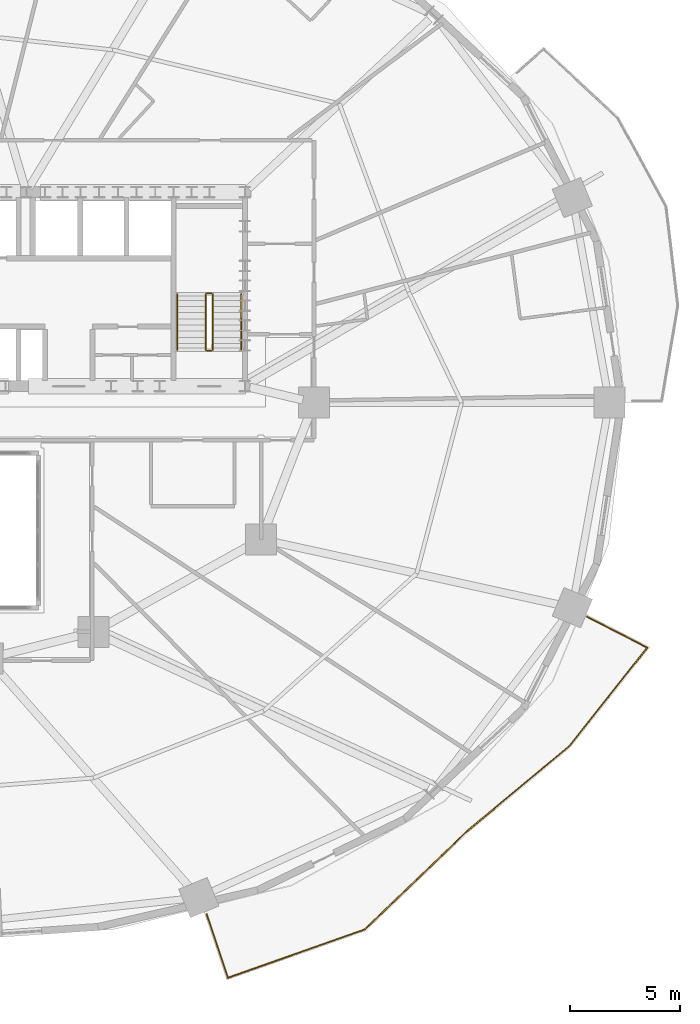
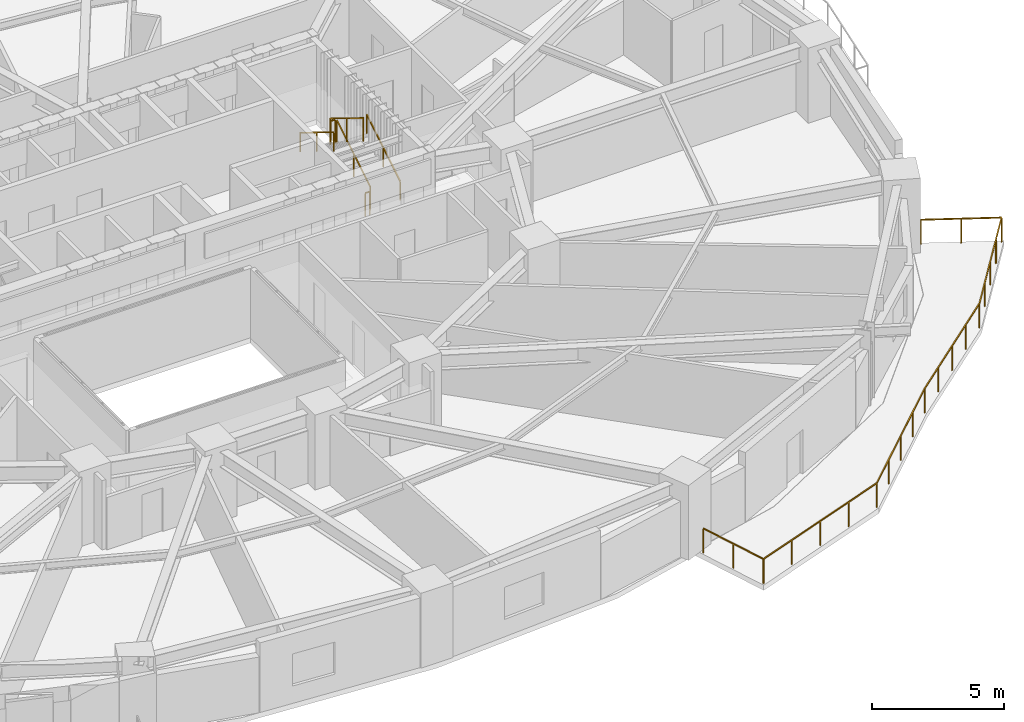
# One storey, part 16 of 17: 7 railings.
"""IFC4 building model written with IfcOpenShell, lengths in metres."""

import ifcopenshell
import ifcopenshell.guid

model = None  # the IFC model being written
_history = None  # IfcOwnerHistory: only IFC2X3 demands one
_inside = {}  # id of a spatial element -> (the spatial element, [elements in it])
_under = {}  # id of a project, library or spatial element -> (it, [spatial elements below it])
_declared = {}  # id of a project -> (the project, [libraries it declares])
_typed = {}  # id of a type object -> (the type object, [elements of that type])
_made_of = {}  # id of a material, layer set ... -> (it, [elements and type objects made of it])


def new_model(schema):
    """Start an empty IFC model of exactly this schema.

    Asked for "IFC4X3", IfcOpenShell would pick the latest addendum, in which some entities
    have other attributes; the version numbers below select the first issue.
    IFC2X3 requires an IfcOwnerHistory on every rooted entity: one is made here for all.
    """
    global model, _history
    if schema == "IFC4X3":
        model = ifcopenshell.file(schema_version=(4, 3, 0, 0))
    else:
        model = ifcopenshell.file(schema=schema)
    _inside.clear()
    _under.clear()
    _declared.clear()
    _typed.clear()
    _made_of.clear()
    _history = None
    if model.schema == "IFC2X3":
        org = make("IfcOrganization", Name="unknown")
        user = make(
            "IfcPersonAndOrganization",
            ThePerson=make("IfcPerson", FamilyName="unknown"),
            TheOrganization=org,
        )
        app = make(
            "IfcApplication",
            ApplicationDeveloper=org,
            Version="unknown",
            ApplicationFullName="unknown",
            ApplicationIdentifier="unknown",
        )
        _history = make(
            "IfcOwnerHistory",
            OwningUser=user,
            OwningApplication=app,
            ChangeAction="ADDED",
            CreationDate=0,
        )
    return model


def make(cls, **values):
    """One entity of the class cls with the attributes given. An attribute that is None is left unset."""
    return model.create_entity(
        cls, **{name: value for name, value in values.items() if value is not None}
    )


def rooted(cls, **values):
    """An entity with a GlobalId (a new one), such as an element, a storey or a relation."""
    return make(cls, GlobalId=ifcopenshell.guid.new(), OwnerHistory=_history, **values)


def si_unit(unit_type, name, prefix=None):
    """IfcSIUnit, for example si_unit("LENGTHUNIT", "METRE", prefix="MILLI")."""
    return make("IfcSIUnit", UnitType=unit_type, Prefix=prefix, Name=name)


def assignment(units):
    """IfcUnitAssignment: the units of a project."""
    return None if units is None else make("IfcUnitAssignment", Units=units)


def point(xyz):
    """IfcCartesianPoint."""
    return None if xyz is None else make("IfcCartesianPoint", Coordinates=xyz)


def direction(xyz):
    """IfcDirection."""
    return None if xyz is None else make("IfcDirection", DirectionRatios=xyz)


def frame(location, z_axis=None, x_axis=None):
    """IfcAxis2Placement3D, a coordinate frame: its origin and axes. An axis left out is left unset."""
    return make(
        "IfcAxis2Placement3D",
        Location=point(location),
        Axis=direction(z_axis),
        RefDirection=direction(x_axis),
    )


def frame_2d(location, x_axis=None):
    """IfcAxis2Placement2D, a coordinate frame in the plane: its origin and x axis."""
    return make(
        "IfcAxis2Placement2D", Location=point(location), RefDirection=direction(x_axis)
    )


def origin():
    """The frame at (0, 0, 0) with its axes left unset."""
    return frame((0.0, 0.0, 0.0))


def origin_2d():
    """The frame at (0, 0) in the plane with its x axis left unset."""
    return frame_2d((0.0, 0.0))


def place(relative_to, where):
    """IfcLocalPlacement: puts the frame where relative to a parent placement (None: the world)."""
    return make(
        "IfcLocalPlacement", PlacementRelTo=relative_to, RelativePlacement=where
    )


def context(
    kind, dimensions, precision=None, world=None, true_north=None, identifier=None
):
    """IfcGeometricRepresentationContext, for example the 3D "Model" context."""
    return make(
        "IfcGeometricRepresentationContext",
        ContextIdentifier=identifier,
        ContextType=kind,
        CoordinateSpaceDimension=dimensions,
        Precision=precision,
        WorldCoordinateSystem=world,
        TrueNorth=true_north,
    )


def subcontext(parent, identifier, kind, view, scale=None):
    """IfcGeometricRepresentationSubContext, for example "Body" below "Model"."""
    return make(
        "IfcGeometricRepresentationSubContext",
        ContextIdentifier=identifier,
        ContextType=kind,
        ParentContext=parent,
        TargetScale=scale,
        TargetView=view,
    )


def project(units=None, contexts=None):
    """IfcProject with its units and contexts."""
    return rooted(
        "IfcProject",
        Name="project",
        RepresentationContexts=contexts,
        UnitsInContext=assignment(units),
    )


def spatial(cls, under=None, at=None, **own):
    """A site, building, storey or space (cls), placed at a placement, below another one or the project."""
    s = rooted(cls, ObjectPlacement=at, **own)
    if under is not None:
        _under.setdefault(under.id(), (under, []))[1].append(s)
    return s


def profile(cls, at=None, kind="AREA", **sizes):
    """A parametric profile (cls). Its sizes go by their IFC names, for example OverallWidth=200.0."""
    return make(cls, ProfileType=kind, Position=at, **sizes)


def rectangle(**sizes):
    """IfcRectangleProfileDef."""
    return profile("IfcRectangleProfileDef", **sizes)


def extrude(swept, where, along, depth):
    """IfcExtrudedAreaSolid: the profile swept, set in the frame where, extruded along a direction by depth."""
    return make(
        "IfcExtrudedAreaSolid",
        SweptArea=swept,
        Position=where,
        ExtrudedDirection=direction(along),
        Depth=depth,
    )


def shape(context_of_items, identifier, shape_type, items):
    """IfcShapeRepresentation: the items that make up one representation, for example the "Body"."""
    return make(
        "IfcShapeRepresentation",
        ContextOfItems=context_of_items,
        RepresentationIdentifier=identifier,
        RepresentationType=shape_type,
        Items=items,
    )


def material(Name=None, Category=None):
    """IfcMaterial."""
    return make("IfcMaterial", Name=Name, Category=Category)


def made_of(thing, what):
    """Note that an element or type object is made of a material, layer set ...; save() writes the relation."""
    if what is not None:
        _made_of.setdefault(what.id(), (what, []))[1].append(thing)
    return thing


def type_object(cls, material=None, **own):
    """A type object (cls), such as IfcWallType, which elements share."""
    return made_of(rooted(cls, **own), material)


def element(
    cls,
    number,
    at=None,
    inside=None,
    cuts=None,
    type_object=None,
    material=None,
    context=None,
    identifier="Body",
    shape_type=None,
    held_by="IfcProductDefinitionShape",
    body=None,
    shapes=None,
    **own,
):
    """One element of the class cls, such as IfcWall. Its Tag is "e" and its number.

    at: its placement. inside: the storey or other place that contains it. cuts: it is an
    opening in that element (IfcRelVoidsElement). A single representation is given by context,
    identifier, shape_type and body (its items); several are given by shapes. held_by: the class
    of the entity that holds the representations. save() writes the other relations.
    """
    e = rooted(cls, Tag="e%d" % number, ObjectPlacement=at, **own)
    if body is not None:
        shapes = [shape(context, identifier, shape_type, body)]
    if shapes is not None:
        e.Representation = make(held_by, Representations=shapes)
    if inside is not None:
        _inside.setdefault(inside.id(), (inside, []))[1].append(e)
    if cuts is not None:
        rooted(
            "IfcRelVoidsElement", RelatingBuildingElement=cuts, RelatedOpeningElement=e
        )
    if type_object is not None:
        _typed.setdefault(type_object.id(), (type_object, []))[1].append(e)
    return made_of(e, material)


def aggregate(whole, parts):
    """IfcRelAggregates: a whole, such as a stair, and the parts it consists of."""
    return rooted("IfcRelAggregates", RelatingObject=whole, RelatedObjects=parts)


def save(model, path):
    """Write the relations noted so far, then the file.

    IfcRelAggregates (storeys below a building ...), IfcRelContainedInSpatialStructure (elements
    in a storey), IfcRelDefinesByType, IfcRelAssociatesMaterial and IfcRelDeclares: one each for
    every whole, place, type object, material and project.
    """
    for whole, parts in _under.values():
        aggregate(whole, parts)
    for where, things in _inside.values():
        rooted(
            "IfcRelContainedInSpatialStructure",
            RelatedElements=things,
            RelatingStructure=where,
        )
    for kind, things in _typed.values():
        rooted("IfcRelDefinesByType", RelatedObjects=things, RelatingType=kind)
    for what, things in _made_of.values():
        rooted("IfcRelAssociatesMaterial", RelatedObjects=things, RelatingMaterial=what)
    for by, libraries in _declared.values():
        rooted("IfcRelDeclares", RelatingContext=by, RelatedDefinitions=libraries)
    model.write(path)


model = new_model("IFC4")

# Units and contexts
model_context = context("Model", 3, precision=1e-05, world=origin(), true_north=direction((0.0, 1.0)))
body_context = subcontext(model_context, "Body", "Model", "MODEL_VIEW")
ifc_project = project(units=[si_unit("LENGTHUNIT", "METRE"), si_unit("AREAUNIT", "SQUARE_METRE"), si_unit("VOLUMEUNIT", "CUBIC_METRE"), si_unit("PLANEANGLEUNIT", "RADIAN"), si_unit("MASSUNIT", "GRAM", prefix="KILO")], contexts=[model_context])

# Site, building, storey
site_placement = place(None, origin())
site = spatial("IfcSite", under=ifc_project, at=site_placement, CompositionType="ELEMENT")
building_placement = place(site_placement, origin())
building = spatial("IfcBuilding", under=site, at=building_placement, Name="Haldorwick Loom Tower", CompositionType="ELEMENT")
storey_placement = place(building_placement, frame((0.0, 0.0, 37.800048828125)))
storey = spatial("IfcBuildingStorey", under=building, at=storey_placement, Name="L09", CompositionType="ELEMENT", Elevation=37.800048828125)

# Railings
ifc_material_1 = material(Name="Galvanized Steel CSA G40.21 350W", Category="steel")
railing_type_1 = type_object("IfcRailingType", Name="ARC-RLG-BAL115", PredefinedType="BALUSTRADE", material=ifc_material_1)
railing_1_placement = place(storey_placement, frame((65.5927734375, 16.288330078125, 0.0)))
element("IfcRailing", 1, at=railing_1_placement, inside=storey, type_object=railing_type_1, Name="L09 Outdoor Terrace Guardrail SLB-L09-BAL_SE-1", PredefinedType="BALUSTRADE", context=body_context, shape_type="SweptSolid", body=[
    extrude(rectangle(XDim=0.048095703125, YDim=0.048095703125, at=origin_2d()), frame((0.0, 0.0, 1.1259765625), z_axis=(0.888545143405, -0.458789197923, 0.0), x_axis=(0.458789197923, 0.888545143405, 0.0)), (0.0, 0.0, 1.0), 3.060791015625),
    extrude(rectangle(XDim=0.048095703125, YDim=0.048095703125, at=origin_2d()), frame((2.7197265625, -1.404296875, 1.1259765625), z_axis=(-0.621111371272, -0.783722313372, 0.0), x_axis=(0.783722313372, -0.621111371272, 0.0)), (0.0, 0.0, 1.0), 5.709716796875),
    extrude(rectangle(XDim=0.048095703125, YDim=0.048095703125, at=origin_2d()), frame((-0.82666015625, -5.879150390625, 1.1259765625), z_axis=(-0.768920852016, -0.639343978883, 0.0), x_axis=(0.639343978883, -0.768920852016, 0.0)), (0.0, 0.0, 1.0), 5.974609375),
    extrude(rectangle(XDim=0.048095703125, YDim=0.048095703125, at=origin_2d()), frame((-5.420654296875, -9.698974609375, 1.1259765625), z_axis=(-0.768221279597, -0.640184399664, 0.0), x_axis=(0.640184399664, -0.768221279597, 0.0)), (0.0, 0.0, 1.0), 0.005615234375),
    extrude(rectangle(XDim=0.048095703125, YDim=0.048095703125, at=origin_2d()), frame((-5.425048828125, -9.70263671875, 1.1259765625), z_axis=(-0.721452184694, -0.69246425554, 0.0), x_axis=(0.69246425554, -0.721452184694, 0.0)), (0.0, 0.0, 1.0), 6.46826171875),
    extrude(rectangle(XDim=0.048095703125, YDim=0.048095703125, at=origin_2d()), frame((-10.091552734375, -14.181640625, 1.1259765625), z_axis=(-0.942979374633, -0.332851166465, 0.0), x_axis=(0.332851166465, -0.942979374633, 0.0)), (0.0, 0.0, 1.0), 6.580810546875),
    extrude(rectangle(XDim=0.048095703125, YDim=0.048095703125, at=origin_2d()), frame((-16.297119140625, -16.3720703125, 1.1259765625), z_axis=(-0.316517691118, 0.948586607121, 0.0), x_axis=(-0.948586607121, -0.316517691118, 0.0)), (0.0, 0.0, 1.0), 3.03125),
    extrude(rectangle(XDim=0.0419921875, YDim=0.0419921875, at=origin_2d()), origin(), (0.0, 0.0, 1.0), 1.101806640625),
    extrude(rectangle(XDim=0.0419921875, YDim=0.0419921875, at=origin_2d()), frame((1.35986328125, -0.7021484375, 0.0)), (0.0, 0.0, 1.0), 1.101806640625),
    extrude(rectangle(XDim=0.0419921875, YDim=0.0419921875, at=origin_2d()), frame((2.7197265625, -1.404296875, 0.0)), (0.0, 0.0, 1.0), 1.101806640625),
    extrude(rectangle(XDim=0.0419921875, YDim=0.0419921875, at=origin_2d()), frame((1.8330078125, -2.52294921875, 0.0)), (0.0, 0.0, 1.0), 1.101806640625),
    extrude(rectangle(XDim=0.0419921875, YDim=0.0419921875, at=origin_2d()), frame((0.946533203125, -3.6416015625, 0.0)), (0.0, 0.0, 1.0), 1.101806640625),
    extrude(rectangle(XDim=0.0419921875, YDim=0.0419921875, at=origin_2d()), frame((0.06005859375, -4.760498046875, 0.0)), (0.0, 0.0, 1.0), 1.101806640625),
    extrude(rectangle(XDim=0.0419921875, YDim=0.0419921875, at=origin_2d()), frame((-0.82666015625, -5.879150390625, 0.0)), (0.0, 0.0, 1.0), 1.101806640625),
    extrude(rectangle(XDim=0.0419921875, YDim=0.0419921875, at=origin_2d()), frame((-1.97509765625, -6.833984375, 0.0)), (0.0, 0.0, 1.0), 1.101806640625),
    extrude(rectangle(XDim=0.0419921875, YDim=0.0419921875, at=origin_2d()), frame((-3.12353515625, -7.7890625, 0.0)), (0.0, 0.0, 1.0), 1.101806640625),
    extrude(rectangle(XDim=0.0419921875, YDim=0.0419921875, at=origin_2d()), frame((-4.272216796875, -8.744140625, 0.0)), (0.0, 0.0, 1.0), 1.101806640625),
    extrude(rectangle(XDim=0.0419921875, YDim=0.0419921875, at=origin_2d()), frame((-5.420654296875, -9.698974609375, 0.0)), (0.0, 0.0, 1.0), 1.101806640625),
    extrude(rectangle(XDim=0.0419921875, YDim=0.0419921875, at=origin_2d()), frame((-6.591796875, -10.822265625, 0.0)), (0.0, 0.0, 1.0), 1.101806640625),
    extrude(rectangle(XDim=0.0419921875, YDim=0.0419921875, at=origin_2d()), frame((-7.75830078125, -11.942138671875, 0.0)), (0.0, 0.0, 1.0), 1.101806640625),
    extrude(rectangle(XDim=0.0419921875, YDim=0.0419921875, at=origin_2d()), frame((-8.9248046875, -13.06201171875, 0.0)), (0.0, 0.0, 1.0), 1.101806640625),
    extrude(rectangle(XDim=0.0419921875, YDim=0.0419921875, at=origin_2d()), frame((-10.091552734375, -14.181640625, 0.0)), (0.0, 0.0, 1.0), 1.101806640625),
    extrude(rectangle(XDim=0.0419921875, YDim=0.0419921875, at=origin_2d()), frame((-11.64306640625, -14.729248046875, 0.0)), (0.0, 0.0, 1.0), 1.101806640625),
    extrude(rectangle(XDim=0.0419921875, YDim=0.0419921875, at=origin_2d()), frame((-13.1943359375, -15.27685546875, 0.0)), (0.0, 0.0, 1.0), 1.101806640625),
    extrude(rectangle(XDim=0.0419921875, YDim=0.0419921875, at=origin_2d()), frame((-14.74560546875, -15.824462890625, 0.0)), (0.0, 0.0, 1.0), 1.101806640625),
    extrude(rectangle(XDim=0.0419921875, YDim=0.0419921875, at=origin_2d()), frame((-16.297119140625, -16.3720703125, 0.0)), (0.0, 0.0, 1.0), 1.101806640625),
    extrude(rectangle(XDim=0.0419921875, YDim=0.0419921875, at=origin_2d()), frame((-16.77685546875, -14.934326171875, 0.0)), (0.0, 0.0, 1.0), 1.101806640625),
    extrude(rectangle(XDim=0.0419921875, YDim=0.0419921875, at=origin_2d()), frame((-17.256591796875, -13.49658203125, 0.0)), (0.0, 0.0, 1.0), 1.101806640625),
])
ifc_material_2 = material(Name="Steel CSA G40.21 350W", Category="steel")
railing_type_2 = type_object("IfcRailingType", Name="ARC-RLG-GUARD112", PredefinedType="GUARDRAIL", material=ifc_material_2)
railing_2_placement = place(storey_placement, frame((48.60009765625, 28.39990234375, 0.17236328125)))
element("IfcRailing", 2, at=railing_2_placement, inside=storey, type_object=railing_type_2, Name="L09 ST-02 stair guard 1", PredefinedType="GUARDRAIL", context=body_context, shape_type="SweptSolid", body=[
    extrude(rectangle(XDim=0.048095703125, YDim=0.048095703125, at=origin_2d()), frame((0.0, 0.0, 1.076171875), z_axis=(0.0, 0.851400495292, 0.524516154772), x_axis=(-1.0, 0.0, 0.0)), (0.0, 0.0, 1.0), 2.9599609375),
    extrude(rectangle(XDim=0.0419921875, YDim=0.0419921875, at=origin_2d()), origin(), (0.0, 0.0, 1.0), 1.052001953125),
    extrude(rectangle(XDim=0.0419921875, YDim=0.0419921875, at=origin_2d()), frame((0.0, 1.260009765625, 0.7763671875)), (0.0, 0.0, 1.0), 1.052001953125),
    extrude(rectangle(XDim=0.0419921875, YDim=0.0419921875, at=origin_2d()), frame((0.0, 2.52001953125, 1.552490234375)), (0.0, 0.0, 1.0), 1.052001953125),
])
railing_3_placement = place(storey_placement, frame((48.550048828125, 30.969970703125, 1.724853515625)))
element("IfcRailing", 3, at=railing_3_placement, inside=storey, type_object=railing_type_2, Name="L09 ST-02 stair guard 2", PredefinedType="GUARDRAIL", context=body_context, shape_type="SweptSolid", body=[
    extrude(rectangle(XDim=0.048095703125, YDim=0.048095703125, at=origin_2d()), frame((0.0, 0.0, 1.076171875), z_axis=(-1.0, 0.0, 0.0), x_axis=(0.0, -1.0, 0.0)), (0.0, 0.0, 1.0), 0.199951171875),
    extrude(rectangle(XDim=0.0419921875, YDim=0.0419921875, at=origin_2d()), origin(), (0.0, 0.0, 1.0), 1.052001953125),
    extrude(rectangle(XDim=0.0419921875, YDim=0.0419921875, at=origin_2d()), frame((-0.199951171875, 0.0, 0.0)), (0.0, 0.0, 1.0), 1.052001953125),
])
railing_4_placement = place(storey_placement, frame((48.300048828125, 30.919921875, 1.8974609375)))
element("IfcRailing", 4, at=railing_4_placement, inside=storey, type_object=railing_type_2, Name="L09 ST-02 stair guard 3", PredefinedType="GUARDRAIL", context=body_context, shape_type="SweptSolid", body=[
    extrude(rectangle(XDim=0.048095703125, YDim=0.048095703125, at=origin_2d()), frame((0.0, 0.0, 1.076171875), z_axis=(0.0, -0.851400495292, 0.524516154772), x_axis=(1.0, 0.0, 0.0)), (0.0, 0.0, 1.0), 2.9599609375),
    extrude(rectangle(XDim=0.0419921875, YDim=0.0419921875, at=origin_2d()), origin(), (0.0, 0.0, 1.0), 1.052001953125),
    extrude(rectangle(XDim=0.0419921875, YDim=0.0419921875, at=origin_2d()), frame((0.0, -1.260009765625, 0.7763671875)), (0.0, 0.0, 1.0), 1.052001953125),
    extrude(rectangle(XDim=0.0419921875, YDim=0.0419921875, at=origin_2d()), frame((0.0, -2.52001953125, 1.552490234375)), (0.0, 0.0, 1.0), 1.052001953125),
])
railing_5_placement = place(storey_placement, frame((48.550048828125, 28.35009765625, 0.0)))
element("IfcRailing", 5, at=railing_5_placement, inside=storey, type_object=railing_type_2, Name="L09 ST-02 stair guard 4", PredefinedType="GUARDRAIL", context=body_context, shape_type="SweptSolid", body=[
    extrude(rectangle(XDim=0.048095703125, YDim=0.048095703125, at=origin_2d()), frame((0.0, 0.0, 1.076171875), z_axis=(-1.0, 0.0, 0.0), x_axis=(0.0, -1.0, 0.0)), (0.0, 0.0, 1.0), 0.199951171875),
    extrude(rectangle(XDim=0.0419921875, YDim=0.0419921875, at=origin_2d()), origin(), (0.0, 0.0, 1.0), 1.052001953125),
    extrude(rectangle(XDim=0.0419921875, YDim=0.0419921875, at=origin_2d()), frame((-0.199951171875, 0.0, 0.0)), (0.0, 0.0, 1.0), 1.052001953125),
])
railing_type_3 = type_object("IfcRailingType", Name="ARC-RLG-HAND092", PredefinedType="HANDRAIL", material=ifc_material_2)
railing_6_placement = place(storey_placement, frame((49.89990234375, 28.39990234375, 0.17236328125)))
element("IfcRailing", 6, at=railing_6_placement, inside=storey, type_object=railing_type_3, Name="L09 ST-02 stair handrail 1", PredefinedType="HANDRAIL", context=body_context, shape_type="SweptSolid", body=[
    extrude(rectangle(XDim=0.048095703125, YDim=0.048095703125, at=origin_2d()), frame((0.0, 0.0, 0.8759765625), z_axis=(0.0, 0.851400495292, 0.524516154772), x_axis=(-1.0, 0.0, 0.0)), (0.0, 0.0, 1.0), 2.9599609375),
    extrude(rectangle(XDim=0.0419921875, YDim=0.0419921875, at=origin_2d()), origin(), (0.0, 0.0, 1.0), 0.851806640625),
    extrude(rectangle(XDim=0.0419921875, YDim=0.0419921875, at=origin_2d()), frame((0.0, 1.260009765625, 0.7763671875)), (0.0, 0.0, 1.0), 0.851806640625),
    extrude(rectangle(XDim=0.0419921875, YDim=0.0419921875, at=origin_2d()), frame((0.0, 2.52001953125, 1.552490234375)), (0.0, 0.0, 1.0), 0.851806640625),
])
railing_7_placement = place(storey_placement, frame((47.0, 30.919921875, 1.8974609375)))
element("IfcRailing", 7, at=railing_7_placement, inside=storey, type_object=railing_type_3, Name="L09 ST-02 stair handrail 2", PredefinedType="HANDRAIL", context=body_context, shape_type="SweptSolid", body=[
    extrude(rectangle(XDim=0.048095703125, YDim=0.048095703125, at=origin_2d()), frame((0.0, 0.0, 0.8759765625), z_axis=(0.0, -0.851400495292, 0.524516154772), x_axis=(1.0, 0.0, 0.0)), (0.0, 0.0, 1.0), 2.9599609375),
    extrude(rectangle(XDim=0.0419921875, YDim=0.0419921875, at=origin_2d()), origin(), (0.0, 0.0, 1.0), 0.851806640625),
    extrude(rectangle(XDim=0.0419921875, YDim=0.0419921875, at=origin_2d()), frame((0.0, -1.260009765625, 0.7763671875)), (0.0, 0.0, 1.0), 0.851806640625),
    extrude(rectangle(XDim=0.0419921875, YDim=0.0419921875, at=origin_2d()), frame((0.0, -2.52001953125, 1.552490234375)), (0.0, 0.0, 1.0), 0.851806640625),
])

save(model, "model.ifc")
